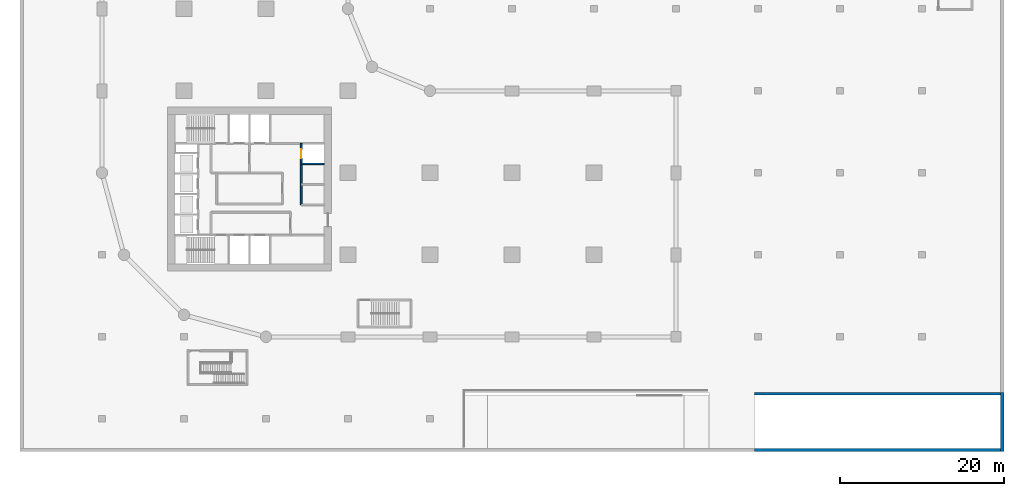
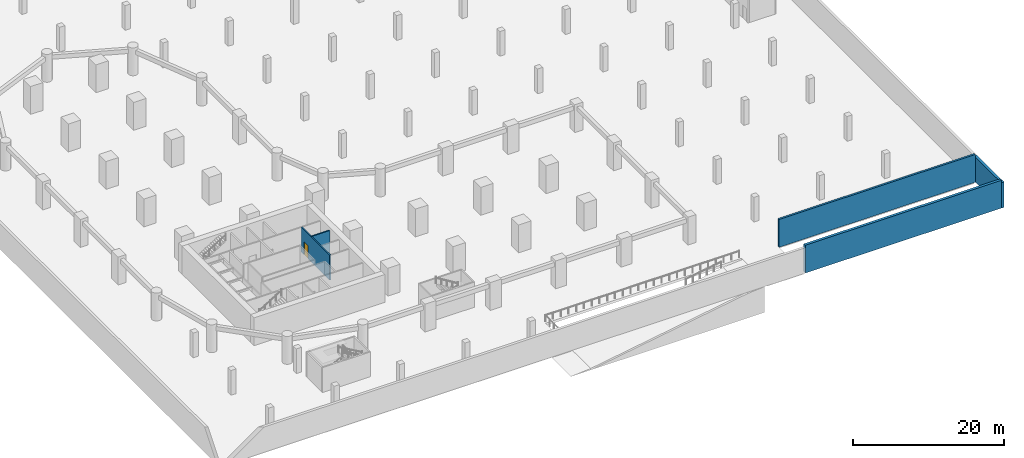
# One storey, part 7 of 19: 5 walls, 1 door, 1 opening.
"""IFC4 building model written with IfcOpenShell, lengths in metres."""

from ifc_helpers import new_model, si_unit, direction, frame, frame_2d, origin, place, context, subcontext, project, spatial, rectangle, extrude, material, layer, layer_set, type_object, element, fill, save


model = new_model("IFC4")

# Units and contexts
model_context = context("Model", 3, precision=1e-05, world=origin(), true_north=direction((0.0, 1.0)))
body_context = subcontext(model_context, "Body", "Model", "MODEL_VIEW")
ifc_project = project(units=[si_unit("LENGTHUNIT", "METRE"), si_unit("AREAUNIT", "SQUARE_METRE"), si_unit("VOLUMEUNIT", "CUBIC_METRE"), si_unit("PLANEANGLEUNIT", "RADIAN"), si_unit("MASSUNIT", "GRAM", prefix="KILO")], contexts=[model_context])

# Site, building, storey
site_placement = place(None, origin())
site = spatial("IfcSite", under=ifc_project, at=site_placement, CompositionType="ELEMENT")
building_placement = place(site_placement, origin())
building = spatial("IfcBuilding", under=site, at=building_placement, Name="Qaws Garden Tower", CompositionType="ELEMENT")
storey_placement = place(building_placement, frame((0.0, 0.0, -4.5)))
storey = spatial("IfcBuildingStorey", under=building, at=storey_placement, Name="B1", CompositionType="ELEMENT", Elevation=-4.5)

# Wall
ifc_material_1 = material(Name="Concrete C80", Category="concrete")
ifc_layer_1 = layer(ifc_material_1, 0.199951171875)
ifc_layer_set_1 = layer_set([ifc_layer_1], Name="Concrete C80")
wall_type_1 = type_object("IfcWallType", Name="Core shaft wall 200 C80", PredefinedType="SHEAR", material=ifc_layer_set_1)
wall_1_placement = place(storey_placement, frame((24.300048828125, 21.10009765625, 0.0), z_axis=(0.0, 0.0, 1.0), x_axis=(1.0, 0.0, 0.0)))
element("IfcWall", 1, at=wall_1_placement, inside=storey, type_object=wall_type_1, Name="Shaft wall", PredefinedType="SHEAR", context=body_context, shape_type="SweptSolid", body=[
    extrude(rectangle(XDim=2.800048828125, YDim=0.199951171875, at=frame_2d((1.39990234375, 0.0))), origin(), (0.0, 0.0, 1.0), 4.050048828125),
])

# Wall, opening, door
wall_2_placement = place(storey_placement, frame((24.300048828125, 16.10009765625, 0.0), z_axis=(0.0, 0.0, 1.0), x_axis=(0.0, 1.0, 0.0)))
wall_2 = element("IfcWall", 2, at=wall_2_placement, inside=storey, type_object=wall_type_1, Name="Shaft wall", PredefinedType="SHEAR", context=body_context, shape_type="SweptSolid", body=[
    extrude(rectangle(XDim=7.5, YDim=0.199951171875, at=frame_2d((3.75, 0.0))), origin(), (0.0, 0.0, 1.0), 4.050048828125),
])
opening_placement = place(wall_2_placement, frame((5.699951171875, 0.0, 0.0)))
opening = element("IfcOpeningElement", 3, at=opening_placement, cuts=wall_2, Name="Opening LD05", PredefinedType="OPENING", context=body_context, shape_type="SweptSolid", body=[
    extrude(rectangle(XDim=1.10009765625, YDim=2.10009765625, at=frame_2d((0.550048828125, 1.050048828125))), frame((0.0, 0.10986328125, 0.0), z_axis=(0.0, -1.0, 0.0), x_axis=(1.0, 0.0, 0.0)), (0.0, 0.0, 1.0), 0.219970703125),
])
ifc_material_2 = material(Name="Steel S235", Category="steel")
door_type = type_object("IfcDoorType", Name="Landing door 1100x2100", OperationType="DOUBLE_DOOR_SLIDING", PredefinedType="DOOR", material=ifc_material_2)
door_placement = place(opening_placement, origin())
door = element("IfcDoor", 4, at=door_placement, inside=storey, type_object=door_type, Name="Lift E3 landing door", OperationType="DOUBLE_DOOR_SLIDING", OverallHeight=2.10009765625, OverallWidth=1.10009765625, PredefinedType="DOOR", context=body_context, shape_type="SweptSolid", body=[
    extrude(rectangle(XDim=1.10009765625, YDim=2.10009765625, at=frame_2d((0.550048828125, 1.050048828125))), frame((0.0, 0.02490234375, 0.0), z_axis=(0.0, -1.0, 0.0), x_axis=(1.0, 0.0, 0.0)), (0.0, 0.0, 1.0), 0.050048828125),
])
fill(opening, door)

# Walls
ifc_material_3 = material(Name="Concrete C45", Category="concrete")
ifc_layer_2 = layer(ifc_material_3, 0.300048828125)
ifc_layer_set_2 = layer_set([ifc_layer_2], Name="Concrete C45")
wall_type_2 = type_object("IfcWallType", Name="Ramp trench wall 300", PredefinedType="SOLIDWALL", material=ifc_layer_set_2)
wall_3_placement = place(storey_placement, frame((79.60009765625, -6.949951171875, 0.0), z_axis=(0.0, 0.0, 1.0), x_axis=(1.0, 0.0, 0.0)))
element("IfcWall", 5, at=wall_3_placement, inside=storey, type_object=wall_type_2, Name="Ramp trench wall B1", PredefinedType="SOLIDWALL", context=body_context, shape_type="SweptSolid", body=[
    extrude(rectangle(XDim=30.0, YDim=0.300048828125, at=frame_2d((15.0, 0.0))), origin(), (0.0, 0.0, 1.0), 4.5),
])
ifc_material_4 = material(Name="Concrete C45", Category="concrete")
ifc_layer_3 = layer(ifc_material_4, 0.39990234375)
ifc_layer_set_3 = layer_set([ifc_layer_3], Name="Concrete C45")
wall_type_3 = type_object("IfcWallType", Name="Retaining wall 400", PredefinedType="SOLIDWALL", material=ifc_layer_set_3)
wall_4_placement = place(storey_placement, frame((79.60009765625, -13.800048828125, 0.0), z_axis=(0.0, 0.0, 1.0), x_axis=(1.0, 0.0, 0.0)))
element("IfcWall", 6, at=wall_4_placement, inside=storey, type_object=wall_type_3, Name="Retaining wall S beside ramp 1", PredefinedType="SOLIDWALL", context=body_context, shape_type="SweptSolid", body=[
    extrude(rectangle(XDim=30.0, YDim=0.39990234375, at=frame_2d((15.0, 0.0))), origin(), (0.0, 0.0, 1.0), 4.5),
])
wall_5_placement = place(storey_placement, frame((109.800048828125, -14.0, 0.0), z_axis=(0.0, 0.0, 1.0), x_axis=(0.0, 1.0, 0.0)))
element("IfcWall", 7, at=wall_5_placement, inside=storey, type_object=wall_type_3, Name="Retaining wall E across ramp 1", PredefinedType="SOLIDWALL", context=body_context, shape_type="SweptSolid", body=[
    extrude(rectangle(XDim=7.199951171875, YDim=0.39990234375, at=frame_2d((3.60009765625, 0.0))), origin(), (0.0, 0.0, 1.0), 4.10009765625),
])

save(model, "model.ifc")
